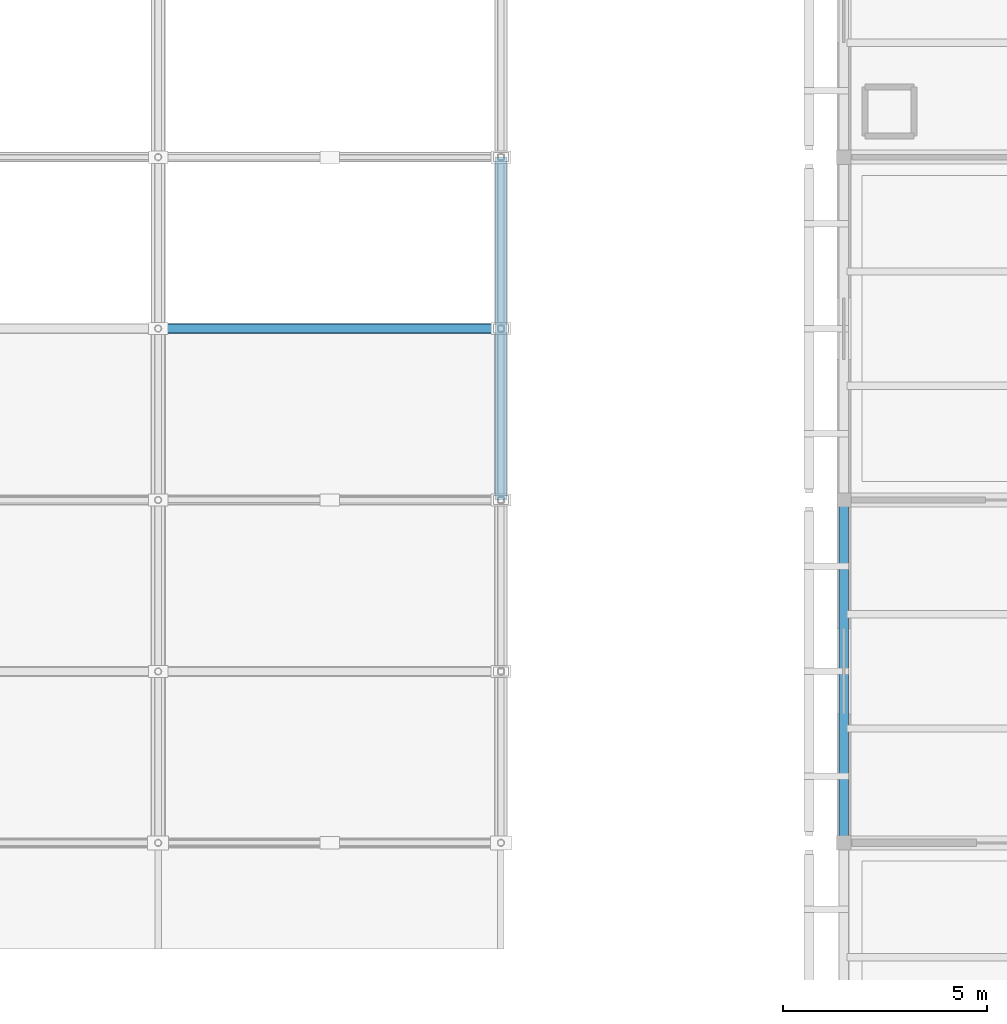
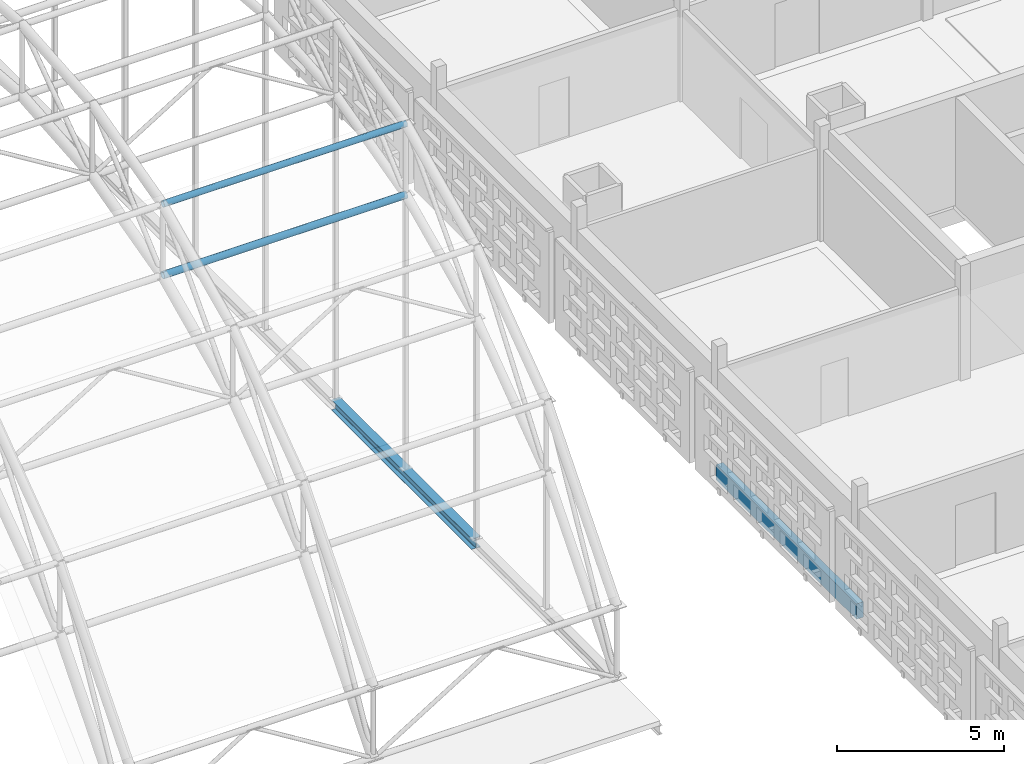
# One storey, part 56 of 103: 2 beams, 2 members.
"""IFC4 building model written with IfcOpenShell, lengths in metres."""

from ifc_helpers import new_model, si_unit, direction, frame, origin, origin_2d, place, context, subcontext, project, spatial, rectangle, hollow_circle, i_section, extrude, material, material_profile, profile_set, type_object, element, save


model = new_model("IFC4")

# Units and contexts
model_context = context("Model", 3, precision=1e-05, world=origin(), true_north=direction((0.0, 1.0)))
body_context = subcontext(model_context, "Body", "Model", "MODEL_VIEW")
ifc_project = project(units=[si_unit("LENGTHUNIT", "METRE"), si_unit("AREAUNIT", "SQUARE_METRE"), si_unit("VOLUMEUNIT", "CUBIC_METRE"), si_unit("PLANEANGLEUNIT", "RADIAN"), si_unit("MASSUNIT", "GRAM", prefix="KILO")], contexts=[model_context])

# Site, building, storey
site_placement = place(None, origin())
site = spatial("IfcSite", under=ifc_project, at=site_placement, CompositionType="ELEMENT")
building_placement = place(site_placement, origin())
building = spatial("IfcBuilding", under=site, at=building_placement, Name="Varnapada Polytechnic", CompositionType="ELEMENT")
storey_placement = place(building_placement, frame((0.0, 0.0, 18.0)))
storey = spatial("IfcBuildingStorey", under=building, at=storey_placement, Name="L04", CompositionType="ELEMENT", Elevation=18.0)

# Beams
ifc_material_1 = material(Name="Glulam GL32h", Category="wood")
ifc_material_profile_1 = material_profile(ifc_material_1, rectangle(XDim=0.239990234375, YDim=0.56005859375, at=origin_2d()), Name="GL 240x560")
ifc_profile_set_1 = profile_set([ifc_material_profile_1], Name="Glulam GL32h")
beam_type_1 = type_object("IfcBeamType", Name="Perimeter glulam spandrel beam SP-02 (GL 240x560)", PredefinedType="SPANDREL", material=ifc_profile_set_1)
beam_1_placement = place(storey_placement, frame((142.800048828125, 84.0, -0.5), z_axis=(0.0, 1.0, 0.0), x_axis=(-1.0, 0.0, 0.0)))
element("IfcBeam", 1, at=beam_1_placement, inside=storey, type_object=beam_type_1, Name="L04 beam Y 11-12 at X18", PredefinedType="SPANDREL", context=body_context, shape_type="SweptSolid", body=[
    extrude(rectangle(XDim=0.239990234375, YDim=0.56005859375, at=origin_2d()), origin(), (0.0, 0.0, 1.0), 8.39990234375),
])
ifc_material_2 = material(Name="Steel S355", Category="steel")
ifc_material_profile_2 = material_profile(ifc_material_2, i_section(OverallWidth=0.300048828125, OverallDepth=0.389892578125, WebThickness=0.010986328125, FlangeThickness=0.01904296875, FilletRadius=0.027099609375, at=origin_2d()), Name="HEA 400")
ifc_profile_set_2 = profile_set([ifc_material_profile_2], Name="Steel S355")
beam_type_2 = type_object("IfcBeamType", Name="Steel roof primary girder SG-01 (HEA 400)", PredefinedType="BEAM", material=ifc_profile_set_2)
beam_2_placement = place(storey_placement, frame((134.39990234375, 92.39990234375, -0.18994140625), z_axis=(0.0, 1.0, 0.0), x_axis=(-1.0, 0.0, 0.0)))
element("IfcBeam", 2, at=beam_2_placement, inside=storey, type_object=beam_type_2, Name="L04 workshop arch tympanum sill girder E.2", PredefinedType="BEAM", context=body_context, shape_type="SweptSolid", body=[
    extrude(i_section(OverallWidth=0.300048828125, OverallDepth=0.389892578125, WebThickness=0.010986328125, FlangeThickness=0.01904296875, FilletRadius=0.027099609375, at=origin_2d()), origin(), (0.0, 0.0, 1.0), 8.400146484375),
])

# Members
ifc_material_profile_3 = material_profile(ifc_material_2, hollow_circle(Radius=0.122314453125, WallThickness=0.008056640625, at=origin_2d()), Name="CHS 244.5x8.0")
ifc_profile_set_3 = profile_set([ifc_material_profile_3], Name="Steel S355")
member_type_1 = type_object("IfcMemberType", Name="Vaulted space frame longitudinal bottom chord SFC-01 (CHS 244.5x8.0)", PredefinedType="CHORD", material=ifc_profile_set_3)
member_1_placement = place(storey_placement, frame((126.0, 96.60009765625, 9.98193359375), z_axis=(1.0, 0.0, 0.0), x_axis=(0.0, 1.0, 0.0)))
element("IfcMember", 3, at=member_1_placement, inside=storey, type_object=member_type_1, Name="Vaulted space frame longitudinal bottom chord 10.4", PredefinedType="CHORD", context=body_context, shape_type="SweptSolid", body=[
    extrude(hollow_circle(Radius=0.122314453125, WallThickness=0.008056640625, at=origin_2d()), origin(), (0.0, 0.0, 1.0), 8.39990234375),
])
ifc_material_profile_4 = material_profile(ifc_material_2, hollow_circle(Radius=0.109619140625, WallThickness=0.008056640625, at=origin_2d()), Name="CHS 219.1x8.0")
ifc_profile_set_4 = profile_set([ifc_material_profile_4], Name="Steel S355")
member_type_2 = type_object("IfcMemberType", Name="Vaulted space frame longitudinal top chord SFC-02 (CHS 219.1x8.0)", PredefinedType="CHORD", material=ifc_profile_set_4)
member_2_placement = place(storey_placement, frame((126.0, 96.60009765625, 12.581787109375), z_axis=(1.0, 0.0, 0.0), x_axis=(0.0, 1.0, 0.0)))
element("IfcMember", 4, at=member_2_placement, inside=storey, type_object=member_type_2, Name="Vaulted space frame longitudinal top chord 10.4", PredefinedType="CHORD", context=body_context, shape_type="SweptSolid", body=[
    extrude(hollow_circle(Radius=0.109619140625, WallThickness=0.008056640625, at=origin_2d()), origin(), (0.0, 0.0, 1.0), 8.39990234375),
])

save(model, "model.ifc")
